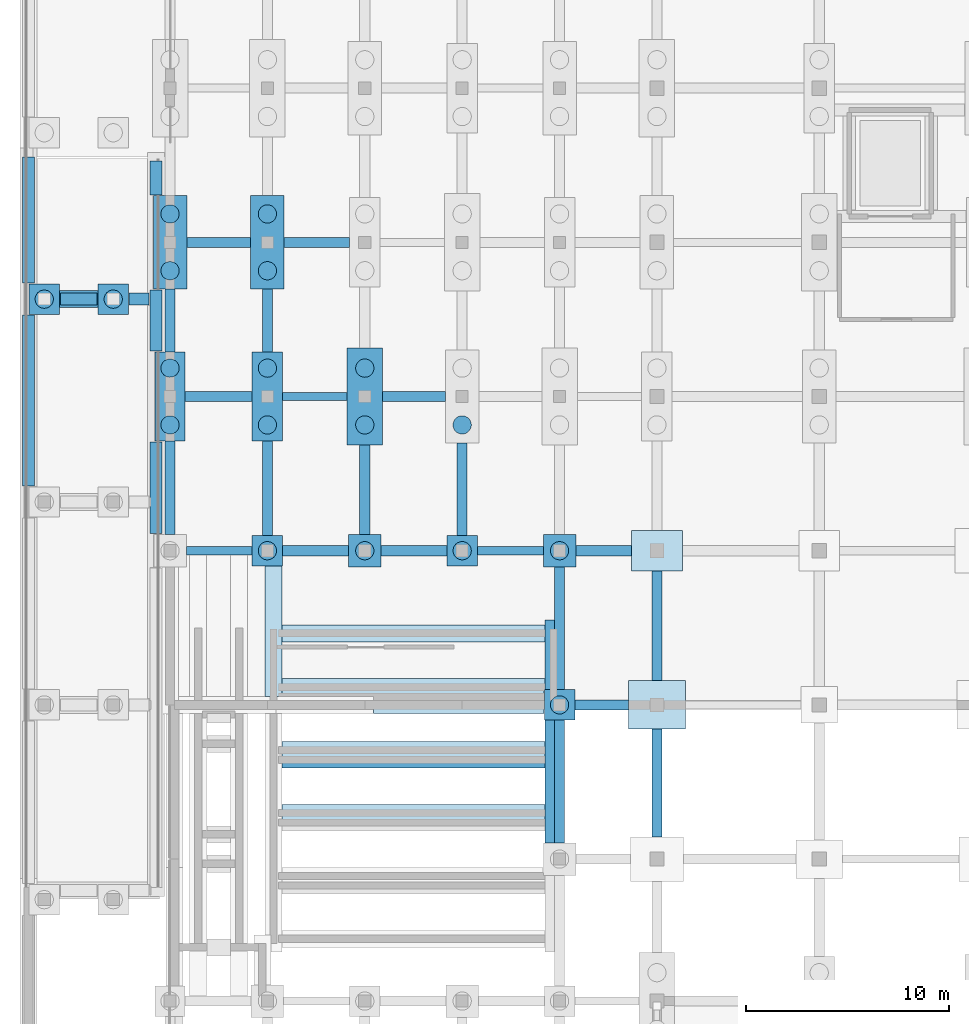
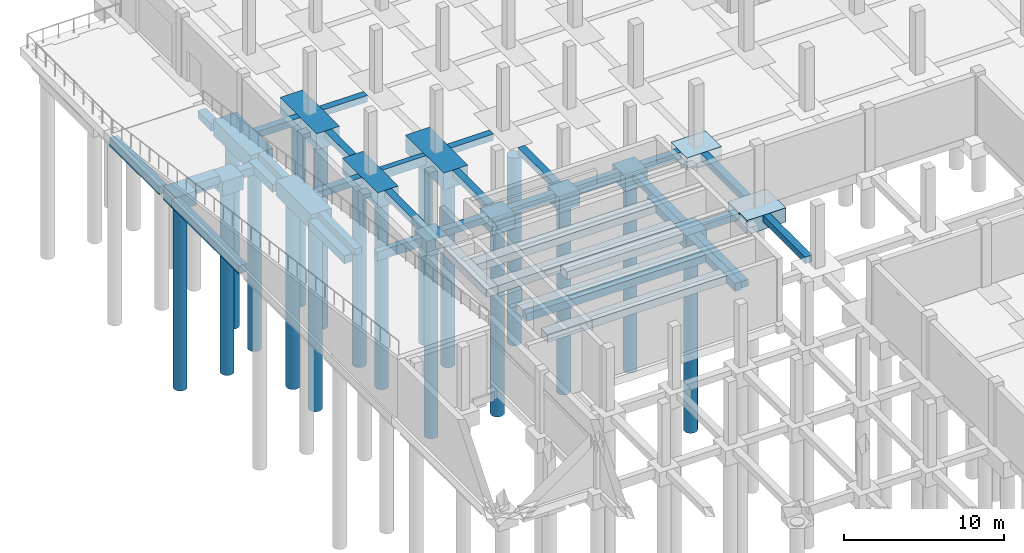
# One storey, part 12 of 50: 52 footings, 18 piles.
"""IFC4 building model written with IfcOpenShell, lengths in metres."""

from ifc_helpers import new_model, si_unit, direction, frame, origin, origin_2d, place, context, subcontext, project, spatial, polyline, rectangle, circle, outline, extrude, material, material_profile, profile_set, type_object, element, save


model = new_model("IFC4")

# Units and contexts
model_context = context("Model", 3, precision=1e-05, world=origin(), true_north=direction((0.0, 1.0)))
body_context = subcontext(model_context, "Body", "Model", "MODEL_VIEW")
ifc_project = project(units=[si_unit("LENGTHUNIT", "METRE"), si_unit("AREAUNIT", "SQUARE_METRE"), si_unit("VOLUMEUNIT", "CUBIC_METRE"), si_unit("PLANEANGLEUNIT", "RADIAN"), si_unit("MASSUNIT", "GRAM", prefix="KILO")], contexts=[model_context])

# Site, building, storey
site_placement = place(None, origin())
site = spatial("IfcSite", under=ifc_project, at=site_placement, CompositionType="ELEMENT")
building_placement = place(site_placement, origin())
building = spatial("IfcBuilding", under=site, at=building_placement, Name="Vekula Escarpment Museum", CompositionType="ELEMENT")
storey_placement = place(building_placement, frame((0.0, 0.0, -4.800048828125)))
storey = spatial("IfcBuildingStorey", under=building, at=storey_placement, Name="B1", CompositionType="ELEMENT", Elevation=-4.800048828125)

# Footings
ifc_material_1 = material(Name="Concrete C35/45", Category="concrete")
footing_type_1 = type_object("IfcFootingType", Name="FB-STRIP-600", PredefinedType="STRIP_FOOTING", material=ifc_material_1)
footing_1_placement = place(storey_placement, frame((0.0, 0.0, -0.89990234375)))
element("IfcFooting", 1, at=footing_1_placement, inside=storey, type_object=footing_type_1, Name="Vehicle Ramp Strip Footing RMP-SLOPE-W-3", PredefinedType="STRIP_FOOTING", context=body_context, shape_type="SweptSolid", body=[
    extrude(outline(polyline([(-7.27490234375, 108.7900390625), (-6.675048828125, 108.7900390625), (-6.675048828125, 117.2099609375), (-7.27490234375, 117.2099609375), (-7.27490234375, 108.7900390625)])), origin(), (0.0, 0.0, 1.0), 0.599853515625),
])
footing_2_placement = place(storey_placement, frame((0.0, 0.0, -0.89990234375)))
element("IfcFooting", 2, at=footing_2_placement, inside=storey, type_object=footing_type_1, Name="Vehicle Ramp Strip Footing RMP-SLOPE-W-4", PredefinedType="STRIP_FOOTING", context=body_context, shape_type="SweptSolid", body=[
    extrude(outline(polyline([(-7.27490234375, 118.7900390625), (-6.675048828125, 118.7900390625), (-6.675048828125, 125.0), (-7.27490234375, 125.0), (-7.27490234375, 118.7900390625)])), origin(), (0.0, 0.0, 1.0), 0.599853515625),
])
footing_3_placement = place(storey_placement, frame((0.0, 0.0, -0.89990234375)))
element("IfcFooting", 3, at=footing_3_placement, inside=storey, type_object=footing_type_1, Name="Vehicle Ramp Strip Footing RMP-SLOPE-E-2", PredefinedType="STRIP_FOOTING", context=body_context, shape_type="SweptSolid", body=[
    extrude(outline(polyline([(-0.985107421875, 106.43994140625), (-0.385009765625, 106.43994140625), (-0.385009765625, 110.9599609375), (-0.985107421875, 110.9599609375), (-0.985107421875, 106.43994140625)])), origin(), (0.0, 0.0, 1.0), 0.599853515625),
])
footing_4_placement = place(storey_placement, frame((0.0, 0.0, -0.89990234375)))
element("IfcFooting", 4, at=footing_4_placement, inside=storey, type_object=footing_type_1, Name="Vehicle Ramp Strip Footing RMP-SLOPE-E-3", PredefinedType="STRIP_FOOTING", context=body_context, shape_type="SweptSolid", body=[
    extrude(outline(polyline([(-0.985107421875, 115.43994140625), (-0.385009765625, 115.43994140625), (-0.385009765625, 118.4599609375), (-0.985107421875, 118.4599609375), (-0.985107421875, 115.43994140625)])), origin(), (0.0, 0.0, 1.0), 0.599853515625),
])
footing_5_placement = place(storey_placement, frame((0.0, 0.0, -0.89990234375)))
element("IfcFooting", 5, at=footing_5_placement, inside=storey, type_object=footing_type_1, Name="Vehicle Ramp Strip Footing RMP-SLOPE-E-4", PredefinedType="STRIP_FOOTING", context=body_context, shape_type="SweptSolid", body=[
    extrude(outline(polyline([(-0.985107421875, 123.139892578125), (-0.385009765625, 123.139892578125), (-0.385009765625, 124.800048828125), (-0.985107421875, 124.800048828125), (-0.985107421875, 123.139892578125)])), origin(), (0.0, 0.0, 1.0), 0.599853515625),
])
footing_6_placement = place(storey_placement, frame((0.0, 0.0, -0.89990234375)))
element("IfcFooting", 6, at=footing_6_placement, inside=storey, type_object=footing_type_1, Name="Vehicle Ramp Strip Footing RMP-X-118-1", PredefinedType="STRIP_FOOTING", context=body_context, shape_type="SweptSolid", body=[
    extrude(outline(polyline([(-5.409912109375, 117.699951171875), (-3.590087890625, 117.699951171875), (-3.590087890625, 118.300048828125), (-5.409912109375, 118.300048828125), (-5.409912109375, 117.699951171875)])), origin(), (0.0, 0.0, 1.0), 0.599853515625),
])
footing_7_placement = place(storey_placement, frame((0.0, 0.0, -0.89990234375)))
element("IfcFooting", 7, at=footing_7_placement, inside=storey, type_object=footing_type_1, Name="Vehicle Ramp Strip Footing RMP-X-118-2", PredefinedType="STRIP_FOOTING", context=body_context, shape_type="SweptSolid", body=[
    extrude(outline(polyline([(-2.010009765625, 117.699951171875), (-1.02490234375, 117.699951171875), (-1.02490234375, 118.300048828125), (-2.010009765625, 118.300048828125), (-2.010009765625, 117.699951171875)])), origin(), (0.0, 0.0, 1.0), 0.599853515625),
])
footing_8_placement = place(storey_placement, frame((0.0, 0.0, -0.599853515625)))
element("IfcFooting", 8, at=footing_8_placement, inside=storey, type_object=footing_type_1, Name="Plinth Wall Strip Footing 0044", PredefinedType="STRIP_FOOTING", context=body_context, shape_type="SweptSolid", body=[
    extrude(outline(polyline([(10.02392578125, 97.580078125), (10.02392578125, 98.419921875), (18.446044921875, 98.419921875), (18.446044921875, 97.580078125), (10.02392578125, 97.580078125)])), origin(), (0.0, 0.0, 1.0), 0.599853515625),
])
footing_9_placement = place(storey_placement, frame((0.0, 0.0, -0.599853515625)))
element("IfcFooting", 9, at=footing_9_placement, inside=storey, type_object=footing_type_1, Name="Plinth Wall Strip Footing 0185", PredefinedType="STRIP_FOOTING", context=body_context, shape_type="SweptSolid", body=[
    extrude(outline(polyline([(5.52001953125, 98.424072265625), (4.679931640625, 98.424072265625), (4.679931640625, 104.845947265625), (5.52001953125, 104.845947265625), (5.52001953125, 98.424072265625)])), origin(), (0.0, 0.0, 1.0), 0.599853515625),
])
footing_10_placement = place(storey_placement, frame((0.0, 0.0, -0.599853515625)))
element("IfcFooting", 10, at=footing_10_placement, inside=storey, type_object=footing_type_1, Name="Plinth Wall Strip Footing 0186", PredefinedType="STRIP_FOOTING", context=body_context, shape_type="SweptSolid", body=[
    extrude(outline(polyline([(18.47998046875, 97.24609375), (18.946044921875, 97.24609375), (18.946044921875, 91.2041015625), (18.47998046875, 91.2041015625), (18.47998046875, 97.24609375)])), origin(), (0.0, 0.0, 1.0), 0.599853515625),
])
footing_11_placement = place(storey_placement, frame((0.0, 0.0, -0.599853515625)))
element("IfcFooting", 11, at=footing_11_placement, inside=storey, type_object=footing_type_1, Name="Plinth Wall Strip Footing 0187", PredefinedType="STRIP_FOOTING", context=body_context, shape_type="SweptSolid", body=[
    extrude(outline(polyline([(18.47998046875, 102.18994140625), (18.946044921875, 102.18994140625), (18.946044921875, 98.75390625), (18.47998046875, 98.75390625), (18.47998046875, 102.18994140625)])), origin(), (0.0, 0.0, 1.0), 0.599853515625),
])
footing_12_placement = place(storey_placement, frame((0.0, 0.0, -0.599853515625)))
element("IfcFooting", 12, at=footing_12_placement, inside=storey, type_object=footing_type_1, Name="Plinth Wall Strip Footing 0198", PredefinedType="STRIP_FOOTING", context=body_context, shape_type="SweptSolid", body=[
    extrude(outline(polyline([(5.52392578125, 98.449951171875), (5.52392578125, 99.2900390625), (18.47607421875, 99.2900390625), (18.47607421875, 98.75390625), (18.446044921875, 98.75390625), (18.446044921875, 98.449951171875), (5.52392578125, 98.449951171875)])), origin(), (0.0, 0.0, 1.0), 0.599853515625),
])
footing_13_placement = place(storey_placement, frame((0.0, 0.0, -0.599853515625)))
element("IfcFooting", 13, at=footing_13_placement, inside=storey, type_object=footing_type_1, Name="Plinth Wall Strip Footing 0199", PredefinedType="STRIP_FOOTING", context=body_context, shape_type="SweptSolid", body=[
    extrude(outline(polyline([(5.52392578125, 101.110107421875), (5.52392578125, 101.949951171875), (18.47607421875, 101.949951171875), (18.47607421875, 101.110107421875), (5.52392578125, 101.110107421875)])), origin(), (0.0, 0.0, 1.0), 0.599853515625),
])
footing_14_placement = place(storey_placement, frame((0.0, 0.0, -0.599853515625)))
element("IfcFooting", 14, at=footing_14_placement, inside=storey, type_object=footing_type_1, Name="Plinth Wall Strip Footing 0200", PredefinedType="STRIP_FOOTING", context=body_context, shape_type="SweptSolid", body=[
    extrude(outline(polyline([(5.52392578125, 95.35009765625), (5.52392578125, 96.18994140625), (18.47607421875, 96.18994140625), (18.47607421875, 95.35009765625), (5.52392578125, 95.35009765625)])), origin(), (0.0, 0.0, 1.0), 0.599853515625),
])
footing_15_placement = place(storey_placement, frame((0.0, 0.0, -0.599853515625)))
element("IfcFooting", 15, at=footing_15_placement, inside=storey, type_object=footing_type_1, Name="Plinth Wall Strip Footing 0202", PredefinedType="STRIP_FOOTING", context=body_context, shape_type="SweptSolid", body=[
    extrude(outline(polyline([(5.52392578125, 92.25), (5.52392578125, 93.090087890625), (18.47607421875, 93.090087890625), (18.47607421875, 92.25), (5.52392578125, 92.25)])), origin(), (0.0, 0.0, 1.0), 0.599853515625),
])
footing_16_placement = place(storey_placement, frame((0.0, 0.0, -0.599853515625)))
element("IfcFooting", 16, at=footing_16_placement, inside=storey, type_object=footing_type_1, Name="Plinth Wall Strip Footing 0203", PredefinedType="STRIP_FOOTING", context=body_context, shape_type="SweptSolid", body=[
    extrude(outline(polyline([(5.52392578125, 94.8798828125), (5.52392578125, 95.345947265625), (18.47607421875, 95.345947265625), (18.47607421875, 94.8798828125), (5.52392578125, 94.8798828125)])), origin(), (0.0, 0.0, 1.0), 0.599853515625),
])
footing_17_placement = place(storey_placement, frame((0.0, 0.0, -0.599853515625)))
element("IfcFooting", 17, at=footing_17_placement, inside=storey, type_object=footing_type_1, Name="Plinth Wall Strip Footing 0217", PredefinedType="STRIP_FOOTING", context=body_context, shape_type="SweptSolid", body=[
    extrude(outline(polyline([(-5.446044921875, 117.580078125), (-5.446044921875, 118.419921875), (-3.553955078125, 118.419921875), (-3.553955078125, 117.580078125), (-5.446044921875, 117.580078125)])), origin(), (0.0, 0.0, 1.0), 0.599853515625),
])
ifc_material_2 = material(Name="Concrete C35/45", Category="concrete")
ifc_material_profile_1 = material_profile(ifc_material_2, rectangle(XDim=0.39990234375, YDim=0.699951171875, at=origin_2d()), Name="RC 400x700")
ifc_profile_set_1 = profile_set([ifc_material_profile_1], Name="Concrete C35/45")
footing_type_2 = type_object("IfcFootingType", Name="FB-TIE-400x700", PredefinedType="FOOTING_BEAM", material=ifc_profile_set_1)
for number, where, z_axis, x_axis, name in (
    (18, (0.800048828125, 105.60009765625, -0.349853515625), (1.0, 0.0, 0.0), (0.0, 1.0, 0.0), "Foundation Tie Beam 291"),
    (19, (15.14990234375, 105.60009765625, -0.349853515625), (1.0, 0.0, 0.0), (0.0, 1.0, 0.0), "Foundation Tie Beam 294"),
):
    element("IfcFooting", number, at=place(storey_placement, frame(where, z_axis=z_axis, x_axis=x_axis)), inside=storey, type_object=footing_type_2, Name=name, PredefinedType="FOOTING_BEAM", context=body_context, shape_type="SweptSolid", body=[
        extrude(rectangle(XDim=0.39990234375, YDim=0.699951171875, at=origin_2d()), origin(), (0.0, 0.0, 1.0), 3.25),
    ])
footing_18_placement = place(storey_placement, frame((5.550048828125, 113.199951171875, -0.349853515625), z_axis=(1.0, 0.0, 0.0), x_axis=(0.0, 1.0, 0.0)))
element("IfcFooting", 20, at=footing_18_placement, inside=storey, type_object=footing_type_2, Name="Foundation Tie Beam 312", PredefinedType="FOOTING_BEAM", context=body_context, shape_type="SweptSolid", body=[
    extrude(rectangle(XDim=0.39990234375, YDim=0.699951171875, at=origin_2d()), origin(), (0.0, 0.0, 1.0), 3.175048828125),
])
ifc_material_3 = material(Name="Concrete C35/45", Category="concrete")
ifc_material_profile_2 = material_profile(ifc_material_3, rectangle(XDim=0.5, YDim=0.5, at=origin_2d()), Name="RC 500x500")
ifc_profile_set_2 = profile_set([ifc_material_profile_2], Name="Concrete C35/45")
footing_type_3 = type_object("IfcFootingType", Name="FB-TIE-500x500", PredefinedType="FOOTING_BEAM", material=ifc_profile_set_2)
footing_19_placement = place(storey_placement, frame((19.949951171875, 98.0, -0.25), z_axis=(1.0, 0.0, 0.0), x_axis=(0.0, 1.0, 0.0)))
element("IfcFooting", 21, at=footing_19_placement, inside=storey, type_object=footing_type_3, Name="Foundation Tie Beam 275", PredefinedType="FOOTING_BEAM", context=body_context, shape_type="SweptSolid", body=[
    extrude(rectangle(XDim=0.5, YDim=0.5, at=origin_2d()), origin(), (0.0, 0.0, 1.0), 2.650146484375),
])
for number, where, z_axis, x_axis, name in (
    (22, (5.550048828125, 105.60009765625, -0.25), (1.0, 0.0, 0.0), (0.0, 1.0, 0.0), "Foundation Tie Beam 292"),
    (23, (10.39990234375, 105.60009765625, -0.25), (1.0, 0.0, 0.0), (0.0, 1.0, 0.0), "Foundation Tie Beam 293"),
):
    element("IfcFooting", number, at=place(storey_placement, frame(where, z_axis=z_axis, x_axis=x_axis)), inside=storey, type_object=footing_type_3, Name=name, PredefinedType="FOOTING_BEAM", context=body_context, shape_type="SweptSolid", body=[
        extrude(rectangle(XDim=0.5, YDim=0.5, at=origin_2d()), origin(), (0.0, 0.0, 1.0), 3.25),
    ])
footing_20_placement = place(storey_placement, frame((20.0, 105.60009765625, -0.25), z_axis=(1.0, 0.0, 0.0), x_axis=(0.0, 1.0, 0.0)))
element("IfcFooting", 24, at=footing_20_placement, inside=storey, type_object=footing_type_3, Name="Foundation Tie Beam 295", PredefinedType="FOOTING_BEAM", context=body_context, shape_type="SweptSolid", body=[
    extrude(rectangle(XDim=0.5, YDim=0.5, at=origin_2d()), origin(), (0.0, 0.0, 1.0), 2.75),
])
footing_21_placement = place(storey_placement, frame((0.75, 113.199951171875, -0.25), z_axis=(1.0, 0.0, 0.0), x_axis=(0.0, 1.0, 0.0)))
element("IfcFooting", 25, at=footing_21_placement, inside=storey, type_object=footing_type_3, Name="Foundation Tie Beam 311", PredefinedType="FOOTING_BEAM", context=body_context, shape_type="SweptSolid", body=[
    extrude(rectangle(XDim=0.5, YDim=0.5, at=origin_2d()), origin(), (0.0, 0.0, 1.0), 3.300048828125),
])
footing_22_placement = place(storey_placement, frame((10.47509765625, 113.199951171875, -0.25), z_axis=(1.0, 0.0, 0.0), x_axis=(0.0, 1.0, 0.0)))
element("IfcFooting", 26, at=footing_22_placement, inside=storey, type_object=footing_type_3, Name="Foundation Tie Beam 313", PredefinedType="FOOTING_BEAM", context=body_context, shape_type="SweptSolid", body=[
    extrude(rectangle(XDim=0.5, YDim=0.5, at=origin_2d()), origin(), (0.0, 0.0, 1.0), 3.099853515625),
])
footing_23_placement = place(storey_placement, frame((0.824951171875, 120.800048828125, -0.25), z_axis=(1.0, 0.0, 0.0), x_axis=(0.0, 1.0, 0.0)))
element("IfcFooting", 27, at=footing_23_placement, inside=storey, type_object=footing_type_3, Name="Foundation Tie Beam 334", PredefinedType="FOOTING_BEAM", context=body_context, shape_type="SweptSolid", body=[
    extrude(rectangle(XDim=0.5, YDim=0.5, at=origin_2d()), origin(), (0.0, 0.0, 1.0), 3.150146484375),
])
footing_24_placement = place(storey_placement, frame((5.625, 120.800048828125, -0.25), z_axis=(1.0, 0.0, 0.0), x_axis=(0.0, 1.0, 0.0)))
element("IfcFooting", 28, at=footing_24_placement, inside=storey, type_object=footing_type_3, Name="Foundation Tie Beam 335", PredefinedType="FOOTING_BEAM", context=body_context, shape_type="SweptSolid", body=[
    extrude(rectangle(XDim=0.5, YDim=0.5, at=origin_2d()), origin(), (0.0, 0.0, 1.0), 3.22509765625),
])
footing_25_placement = place(storey_placement, frame((0.0, 106.39990234375, -0.25), z_axis=(0.0, 1.0, 0.0), x_axis=(-1.0, 0.0, 0.0)))
element("IfcFooting", 29, at=footing_25_placement, inside=storey, type_object=footing_type_3, Name="Foundation Tie Beam 410", PredefinedType="FOOTING_BEAM", context=body_context, shape_type="SweptSolid", body=[
    extrude(rectangle(XDim=0.5, YDim=0.5, at=origin_2d()), origin(), (0.0, 0.0, 1.0), 4.60009765625),
])
footing_26_placement = place(storey_placement, frame((0.0, 115.39990234375, -0.25), z_axis=(0.0, 1.0, 0.0), x_axis=(-1.0, 0.0, 0.0)))
element("IfcFooting", 30, at=footing_26_placement, inside=storey, type_object=footing_type_3, Name="Foundation Tie Beam 411", PredefinedType="FOOTING_BEAM", context=body_context, shape_type="SweptSolid", body=[
    extrude(rectangle(XDim=0.5, YDim=0.5, at=origin_2d()), origin(), (0.0, 0.0, 1.0), 3.10009765625),
])
footing_27_placement = place(storey_placement, frame((4.800048828125, 106.35009765625, -0.25), z_axis=(0.0, 1.0, 0.0), x_axis=(-1.0, 0.0, 0.0)))
element("IfcFooting", 31, at=footing_27_placement, inside=storey, type_object=footing_type_3, Name="Foundation Tie Beam 422", PredefinedType="FOOTING_BEAM", context=body_context, shape_type="SweptSolid", body=[
    extrude(rectangle(XDim=0.5, YDim=0.5, at=origin_2d()), origin(), (0.0, 0.0, 1.0), 4.64990234375),
])
footing_28_placement = place(storey_placement, frame((4.800048828125, 115.39990234375, -0.25), z_axis=(0.0, 1.0, 0.0), x_axis=(-1.0, 0.0, 0.0)))
element("IfcFooting", 32, at=footing_28_placement, inside=storey, type_object=footing_type_3, Name="Foundation Tie Beam 423", PredefinedType="FOOTING_BEAM", context=body_context, shape_type="SweptSolid", body=[
    extrude(rectangle(XDim=0.5, YDim=0.5, at=origin_2d()), origin(), (0.0, 0.0, 1.0), 3.10009765625),
])
footing_29_placement = place(storey_placement, frame((9.60009765625, 106.39990234375, -0.25), z_axis=(0.0, 1.0, 0.0), x_axis=(-1.0, 0.0, 0.0)))
element("IfcFooting", 33, at=footing_29_placement, inside=storey, type_object=footing_type_3, Name="Foundation Tie Beam 430", PredefinedType="FOOTING_BEAM", context=body_context, shape_type="SweptSolid", body=[
    extrude(rectangle(XDim=0.5, YDim=0.5, at=origin_2d()), origin(), (0.0, 0.0, 1.0), 4.400146484375),
])
footing_30_placement = place(storey_placement, frame((14.39990234375, 106.35009765625, -0.25), z_axis=(0.0, 1.0, 0.0), x_axis=(-1.0, 0.0, 0.0)))
element("IfcFooting", 34, at=footing_30_placement, inside=storey, type_object=footing_type_3, Name="Foundation Tie Beam 438", PredefinedType="FOOTING_BEAM", context=body_context, shape_type="SweptSolid", body=[
    extrude(rectangle(XDim=0.5, YDim=0.5, at=origin_2d()), origin(), (0.0, 0.0, 1.0), 4.5498046875),
])
for number, where, z_axis, x_axis, name in (
    (35, (19.199951171875, 91.199951171875, -0.25), (0.0, 1.0, 0.0), (-1.0, 0.0, 0.0), "Foundation Tie Beam 454"),
    (36, (19.199951171875, 98.75, -0.25), (0.0, 1.0, 0.0), (-1.0, 0.0, 0.0), "Foundation Tie Beam 455"),
):
    element("IfcFooting", number, at=place(storey_placement, frame(where, z_axis=z_axis, x_axis=x_axis)), inside=storey, type_object=footing_type_3, Name=name, PredefinedType="FOOTING_BEAM", context=body_context, shape_type="SweptSolid", body=[
        extrude(rectangle(XDim=0.5, YDim=0.5, at=origin_2d()), origin(), (0.0, 0.0, 1.0), 6.050048828125),
    ])
footing_31_placement = place(storey_placement, frame((24.0, 91.5, -0.25), z_axis=(0.0, 1.0, 0.0), x_axis=(-1.0, 0.0, 0.0)))
element("IfcFooting", 37, at=footing_31_placement, inside=storey, type_object=footing_type_3, Name="Foundation Tie Beam 472", PredefinedType="FOOTING_BEAM", context=body_context, shape_type="SweptSolid", body=[
    extrude(rectangle(XDim=0.5, YDim=0.5, at=origin_2d()), origin(), (0.0, 0.0, 1.0), 5.300048828125),
])
footing_32_placement = place(storey_placement, frame((24.0, 99.199951171875, -0.25), z_axis=(0.0, 1.0, 0.0), x_axis=(-1.0, 0.0, 0.0)))
element("IfcFooting", 38, at=footing_32_placement, inside=storey, type_object=footing_type_3, Name="Foundation Tie Beam 473", PredefinedType="FOOTING_BEAM", context=body_context, shape_type="SweptSolid", body=[
    extrude(rectangle(XDim=0.5, YDim=0.5, at=origin_2d()), origin(), (0.0, 0.0, 1.0), 5.400146484375),
])
ifc_material_4 = material(Name="Concrete C35/45", Category="concrete")
footing_type_4 = type_object("IfcFootingType", Name="FC-PAD6", PredefinedType="PAD_FOOTING", material=ifc_material_4)
footing_33_placement = place(storey_placement, frame((0.0, 0.0, -1.099853515625)))
element("IfcFooting", 39, at=footing_33_placement, inside=storey, type_object=footing_type_4, Name="Foundation FC-PAD6 (24.0,98.0)", PredefinedType="PAD_FOOTING", context=body_context, shape_type="SweptSolid", body=[
    extrude(outline(polyline([(22.60009765625, 96.800048828125), (25.39990234375, 96.800048828125), (25.39990234375, 99.199951171875), (22.60009765625, 99.199951171875), (22.60009765625, 96.800048828125)])), origin(), (0.0, 0.0, 1.0), 1.099853515625),
])
ifc_material_5 = material(Name="Concrete C35/45", Category="concrete")
footing_type_5 = type_object("IfcFootingType", Name="FC-PAD7", PredefinedType="PAD_FOOTING", material=ifc_material_5)
footing_34_placement = place(storey_placement, frame((0.0, 0.0, -0.949951171875)))
element("IfcFooting", 40, at=footing_34_placement, inside=storey, type_object=footing_type_5, Name="Foundation FC-PAD7 (24.0,105.6)", PredefinedType="PAD_FOOTING", context=body_context, shape_type="SweptSolid", body=[
    extrude(outline(polyline([(22.75, 104.60009765625), (25.25, 104.60009765625), (25.25, 106.60009765625), (22.75, 106.60009765625), (22.75, 104.60009765625)])), origin(), (0.0, 0.0, 1.0), 0.949951171875),
])
ifc_material_6 = material(Name="Concrete C35/45", Category="concrete")
footing_type_6 = type_object("IfcFootingType", Name="FC-PC1A", PredefinedType="PILE_CAP", material=ifc_material_6)
footing_35_placement = place(storey_placement, frame((0.0, 0.0, -1.099853515625)))
element("IfcFooting", 41, at=footing_35_placement, inside=storey, type_object=footing_type_6, Name="Foundation FC-PC1A (4.8,105.6)", PredefinedType="PILE_CAP", context=body_context, shape_type="SweptSolid", body=[
    extrude(outline(polyline([(4.050048828125, 104.85009765625), (5.550048828125, 104.85009765625), (5.550048828125, 106.35009765625), (4.050048828125, 106.35009765625), (4.050048828125, 104.85009765625)])), origin(), (0.0, 0.0, 1.0), 1.099853515625),
])
footing_36_placement = place(storey_placement, frame((0.0, 0.0, -1.099853515625)))
element("IfcFooting", 42, at=footing_36_placement, inside=storey, type_object=footing_type_6, Name="Foundation FC-PC1A (14.4,105.6)", PredefinedType="PILE_CAP", context=body_context, shape_type="SweptSolid", body=[
    extrude(outline(polyline([(13.64990234375, 104.85009765625), (15.14990234375, 104.85009765625), (15.14990234375, 106.35009765625), (13.64990234375, 106.35009765625), (13.64990234375, 104.85009765625)])), origin(), (0.0, 0.0, 1.0), 1.099853515625),
])
footing_37_placement = place(storey_placement, frame((0.0, 0.0, -1.099853515625)))
element("IfcFooting", 43, at=footing_37_placement, inside=storey, type_object=footing_type_6, Name="Foundation FC-PC1A (19.2,98.0)", PredefinedType="PILE_CAP", context=body_context, shape_type="SweptSolid", body=[
    extrude(outline(polyline([(18.449951171875, 97.25), (19.949951171875, 97.25), (19.949951171875, 98.75), (18.449951171875, 98.75), (18.449951171875, 97.25)])), origin(), (0.0, 0.0, 1.0), 1.099853515625),
])
footing_38_placement = place(storey_placement, frame((0.0, 0.0, -1.39990234375)))
element("IfcFooting", 44, at=footing_38_placement, inside=storey, type_object=footing_type_6, Name="Vehicle Ramp Pile Cap 09", PredefinedType="PILE_CAP", context=body_context, shape_type="SweptSolid", body=[
    extrude(outline(polyline([(-6.949951171875, 117.25), (-5.449951171875, 117.25), (-5.449951171875, 118.75), (-6.949951171875, 118.75), (-6.949951171875, 117.25)])), origin(), (0.0, 0.0, 1.0), 1.099853515625),
])
footing_39_placement = place(storey_placement, frame((0.0, 0.0, -1.39990234375)))
element("IfcFooting", 45, at=footing_39_placement, inside=storey, type_object=footing_type_6, Name="Vehicle Ramp Pile Cap 10", PredefinedType="PILE_CAP", context=body_context, shape_type="SweptSolid", body=[
    extrude(outline(polyline([(-3.550048828125, 117.25), (-2.050048828125, 117.25), (-2.050048828125, 118.75), (-3.550048828125, 118.75), (-3.550048828125, 117.25)])), origin(), (0.0, 0.0, 1.0), 1.099853515625),
])
ifc_material_7 = material(Name="Concrete C35/45", Category="concrete")
footing_type_7 = type_object("IfcFootingType", Name="FC-PC1B", PredefinedType="PILE_CAP", material=ifc_material_7)
footing_40_placement = place(storey_placement, frame((0.0, 0.0, -1.14990234375)))
element("IfcFooting", 46, at=footing_40_placement, inside=storey, type_object=footing_type_7, Name="Foundation FC-PC1B (9.6,105.6)", PredefinedType="PILE_CAP", context=body_context, shape_type="SweptSolid", body=[
    extrude(outline(polyline([(8.800048828125, 104.800048828125), (10.39990234375, 104.800048828125), (10.39990234375, 106.39990234375), (8.800048828125, 106.39990234375), (8.800048828125, 104.800048828125)])), origin(), (0.0, 0.0, 1.0), 1.14990234375),
])
footing_41_placement = place(storey_placement, frame((0.0, 0.0, -1.14990234375)))
element("IfcFooting", 47, at=footing_41_placement, inside=storey, type_object=footing_type_7, Name="Foundation FC-PC1B (19.2,105.6)", PredefinedType="PILE_CAP", context=body_context, shape_type="SweptSolid", body=[
    extrude(outline(polyline([(18.39990234375, 104.800048828125), (20.0, 104.800048828125), (20.0, 106.39990234375), (18.39990234375, 106.39990234375), (18.39990234375, 104.800048828125)])), origin(), (0.0, 0.0, 1.0), 1.14990234375),
])
ifc_material_8 = material(Name="Concrete C35/45", Category="concrete")
footing_type_8 = type_object("IfcFootingType", Name="FC-PC2Y-A", PredefinedType="PILE_CAP", material=ifc_material_8)
footing_42_placement = place(storey_placement, frame((0.0, 0.0, -1.199951171875)))
element("IfcFooting", 48, at=footing_42_placement, inside=storey, type_object=footing_type_8, Name="Foundation FC-PC2Y-A (0.0,113.2)", PredefinedType="PILE_CAP", context=body_context, shape_type="SweptSolid", body=[
    extrude(outline(polyline([(-0.75, 111.0), (0.75, 111.0), (0.75, 115.39990234375), (-0.75, 115.39990234375), (-0.75, 111.0)])), origin(), (0.0, 0.0, 1.0), 1.199951171875),
])
footing_43_placement = place(storey_placement, frame((0.0, 0.0, -1.199951171875)))
element("IfcFooting", 49, at=footing_43_placement, inside=storey, type_object=footing_type_8, Name="Foundation FC-PC2Y-A (4.8,113.2)", PredefinedType="PILE_CAP", context=body_context, shape_type="SweptSolid", body=[
    extrude(outline(polyline([(4.050048828125, 111.0), (5.550048828125, 111.0), (5.550048828125, 115.39990234375), (4.050048828125, 115.39990234375), (4.050048828125, 111.0)])), origin(), (0.0, 0.0, 1.0), 1.199951171875),
])
ifc_material_9 = material(Name="Concrete C35/45", Category="concrete")
footing_type_9 = type_object("IfcFootingType", Name="FC-PC2Y-B", PredefinedType="PILE_CAP", material=ifc_material_9)
footing_44_placement = place(storey_placement, frame((0.0, 0.0, -1.25)))
element("IfcFooting", 50, at=footing_44_placement, inside=storey, type_object=footing_type_9, Name="Foundation FC-PC2Y-B (0.0,120.8)", PredefinedType="PILE_CAP", context=body_context, shape_type="SweptSolid", body=[
    extrude(outline(polyline([(-0.824951171875, 118.5), (0.824951171875, 118.5), (0.824951171875, 123.10009765625), (-0.824951171875, 123.10009765625), (-0.824951171875, 118.5)])), origin(), (0.0, 0.0, 1.0), 1.25),
])
footing_45_placement = place(storey_placement, frame((0.0, 0.0, -1.25)))
element("IfcFooting", 51, at=footing_45_placement, inside=storey, type_object=footing_type_9, Name="Foundation FC-PC2Y-B (4.8,120.8)", PredefinedType="PILE_CAP", context=body_context, shape_type="SweptSolid", body=[
    extrude(outline(polyline([(3.97509765625, 118.5), (5.625, 118.5), (5.625, 123.10009765625), (3.97509765625, 123.10009765625), (3.97509765625, 118.5)])), origin(), (0.0, 0.0, 1.0), 1.25),
])
ifc_material_10 = material(Name="Concrete C35/45", Category="concrete")
footing_type_10 = type_object("IfcFootingType", Name="FC-PC2Y-C", PredefinedType="PILE_CAP", material=ifc_material_10)
footing_46_placement = place(storey_placement, frame((0.0, 0.0, -1.300048828125)))
element("IfcFooting", 52, at=footing_46_placement, inside=storey, type_object=footing_type_10, Name="Foundation FC-PC2Y-C (9.6,113.2)", PredefinedType="PILE_CAP", context=body_context, shape_type="SweptSolid", body=[
    extrude(outline(polyline([(8.72509765625, 110.800048828125), (10.47509765625, 110.800048828125), (10.47509765625, 115.60009765625), (8.72509765625, 115.60009765625), (8.72509765625, 110.800048828125)])), origin(), (0.0, 0.0, 1.0), 1.300048828125),
])

# Piles
ifc_material_11 = material(Name="Concrete C35/45", Category="concrete")
ifc_material_profile_3 = material_profile(ifc_material_11, circle(Radius=0.449951171875, at=origin_2d()), Name="BORED PILE 900")
ifc_profile_set_3 = profile_set([ifc_material_profile_3], Name="Concrete C35/45")
pile_type = type_object("IfcPileType", Name="PILE-B900", PredefinedType="BORED", material=ifc_profile_set_3)
for number, where, z_axis, x_axis, name in (
    (53, (0.0, 111.800048828125, -1.099853515625), (0.0, 0.0, -1.0), (1.0, 0.0, 0.0), "Bored Pile (0.0,111.8)"),
    (54, (0.0, 114.60009765625, -1.099853515625), (0.0, 0.0, -1.0), (1.0, 0.0, 0.0), "Bored Pile (0.0,114.6)"),
):
    element("IfcPile", number, at=place(storey_placement, frame(where, z_axis=z_axis, x_axis=x_axis)), inside=storey, type_object=pile_type, Name=name, PredefinedType="BORED", context=body_context, shape_type="SweptSolid", body=[
        extrude(circle(Radius=0.449951171875, at=origin_2d()), origin(), (0.0, 0.0, 1.0), 14.39990234375),
    ])
for number, where, z_axis, x_axis, name in (
    (55, (0.0, 119.39990234375, -1.14990234375), (0.0, 0.0, -1.0), (1.0, 0.0, 0.0), "Bored Pile (0.0,119.4)"),
    (56, (0.0, 122.199951171875, -1.14990234375), (0.0, 0.0, -1.0), (1.0, 0.0, 0.0), "Bored Pile (0.0,122.2)"),
):
    element("IfcPile", number, at=place(storey_placement, frame(where, z_axis=z_axis, x_axis=x_axis)), inside=storey, type_object=pile_type, Name=name, PredefinedType="BORED", context=body_context, shape_type="SweptSolid", body=[
        extrude(circle(Radius=0.449951171875, at=origin_2d()), origin(), (0.0, 0.0, 1.0), 14.35009765625),
    ])
pile_1_placement = place(storey_placement, frame((4.800048828125, 105.60009765625, -1.0), z_axis=(0.0, 0.0, -1.0), x_axis=(1.0, 0.0, 0.0)))
element("IfcPile", 57, at=pile_1_placement, inside=storey, type_object=pile_type, Name="Bored Pile (4.8,105.6)", PredefinedType="BORED", context=body_context, shape_type="SweptSolid", body=[
    extrude(circle(Radius=0.449951171875, at=origin_2d()), origin(), (0.0, 0.0, 1.0), 14.5),
])
for number, where, z_axis, x_axis, name in (
    (58, (4.800048828125, 111.800048828125, -1.099853515625), (0.0, 0.0, -1.0), (1.0, 0.0, 0.0), "Bored Pile (4.8,111.8)"),
    (59, (4.800048828125, 114.60009765625, -1.099853515625), (0.0, 0.0, -1.0), (1.0, 0.0, 0.0), "Bored Pile (4.8,114.6)"),
):
    element("IfcPile", number, at=place(storey_placement, frame(where, z_axis=z_axis, x_axis=x_axis)), inside=storey, type_object=pile_type, Name=name, PredefinedType="BORED", context=body_context, shape_type="SweptSolid", body=[
        extrude(circle(Radius=0.449951171875, at=origin_2d()), origin(), (0.0, 0.0, 1.0), 14.39990234375),
    ])
for number, where, z_axis, x_axis, name in (
    (60, (4.800048828125, 119.39990234375, -1.14990234375), (0.0, 0.0, -1.0), (1.0, 0.0, 0.0), "Bored Pile (4.8,119.4)"),
    (61, (4.800048828125, 122.199951171875, -1.14990234375), (0.0, 0.0, -1.0), (1.0, 0.0, 0.0), "Bored Pile (4.8,122.2)"),
):
    element("IfcPile", number, at=place(storey_placement, frame(where, z_axis=z_axis, x_axis=x_axis)), inside=storey, type_object=pile_type, Name=name, PredefinedType="BORED", context=body_context, shape_type="SweptSolid", body=[
        extrude(circle(Radius=0.449951171875, at=origin_2d()), origin(), (0.0, 0.0, 1.0), 14.35009765625),
    ])
pile_2_placement = place(storey_placement, frame((9.60009765625, 105.60009765625, -1.050048828125), z_axis=(0.0, 0.0, -1.0), x_axis=(1.0, 0.0, 0.0)))
element("IfcPile", 62, at=pile_2_placement, inside=storey, type_object=pile_type, Name="Bored Pile (9.6,105.6)", PredefinedType="BORED", context=body_context, shape_type="SweptSolid", body=[
    extrude(circle(Radius=0.449951171875, at=origin_2d()), origin(), (0.0, 0.0, 1.0), 14.449951171875),
])
for number, where, z_axis, x_axis, name in (
    (63, (9.60009765625, 111.800048828125, -1.199951171875), (0.0, 0.0, -1.0), (1.0, 0.0, 0.0), "Bored Pile (9.6,111.8)"),
    (64, (9.60009765625, 114.60009765625, -1.199951171875), (0.0, 0.0, -1.0), (1.0, 0.0, 0.0), "Bored Pile (9.6,114.6)"),
):
    element("IfcPile", number, at=place(storey_placement, frame(where, z_axis=z_axis, x_axis=x_axis)), inside=storey, type_object=pile_type, Name=name, PredefinedType="BORED", context=body_context, shape_type="SweptSolid", body=[
        extrude(circle(Radius=0.449951171875, at=origin_2d()), origin(), (0.0, 0.0, 1.0), 14.300048828125),
    ])
pile_3_placement = place(storey_placement, frame((14.39990234375, 105.60009765625, -1.0), z_axis=(0.0, 0.0, -1.0), x_axis=(1.0, 0.0, 0.0)))
element("IfcPile", 65, at=pile_3_placement, inside=storey, type_object=pile_type, Name="Bored Pile (14.4,105.6)", PredefinedType="BORED", context=body_context, shape_type="SweptSolid", body=[
    extrude(circle(Radius=0.449951171875, at=origin_2d()), origin(), (0.0, 0.0, 1.0), 14.5),
])
pile_4_placement = place(storey_placement, frame((14.39990234375, 111.800048828125, -1.14990234375), z_axis=(0.0, 0.0, -1.0), x_axis=(1.0, 0.0, 0.0)))
element("IfcPile", 66, at=pile_4_placement, inside=storey, type_object=pile_type, Name="Bored Pile (14.4,111.8)", PredefinedType="BORED", context=body_context, shape_type="SweptSolid", body=[
    extrude(circle(Radius=0.449951171875, at=origin_2d()), origin(), (0.0, 0.0, 1.0), 14.35009765625),
])
pile_5_placement = place(storey_placement, frame((19.199951171875, 98.0, -1.0), z_axis=(0.0, 0.0, -1.0), x_axis=(1.0, 0.0, 0.0)))
element("IfcPile", 67, at=pile_5_placement, inside=storey, type_object=pile_type, Name="Bored Pile (19.2,98.0)", PredefinedType="BORED", context=body_context, shape_type="SweptSolid", body=[
    extrude(circle(Radius=0.449951171875, at=origin_2d()), origin(), (0.0, 0.0, 1.0), 14.5),
])
pile_6_placement = place(storey_placement, frame((19.199951171875, 105.60009765625, -1.050048828125), z_axis=(0.0, 0.0, -1.0), x_axis=(1.0, 0.0, 0.0)))
element("IfcPile", 68, at=pile_6_placement, inside=storey, type_object=pile_type, Name="Bored Pile (19.2,105.6)", PredefinedType="BORED", context=body_context, shape_type="SweptSolid", body=[
    extrude(circle(Radius=0.449951171875, at=origin_2d()), origin(), (0.0, 0.0, 1.0), 14.449951171875),
])
for number, where, z_axis, x_axis, name in (
    (69, (-6.199951171875, 118.0, -1.300048828125), (0.0, 0.0, -1.0), (1.0, 0.0, 0.0), "Vehicle Ramp Bored Pile 09"),
    (70, (-2.800048828125, 118.0, -1.300048828125), (0.0, 0.0, -1.0), (1.0, 0.0, 0.0), "Vehicle Ramp Bored Pile 10"),
):
    element("IfcPile", number, at=place(storey_placement, frame(where, z_axis=z_axis, x_axis=x_axis)), inside=storey, type_object=pile_type, Name=name, PredefinedType="BORED", context=body_context, shape_type="SweptSolid", body=[
        extrude(circle(Radius=0.449951171875, at=origin_2d()), origin(), (0.0, 0.0, 1.0), 14.199951171875),
    ])

save(model, "model.ifc")
